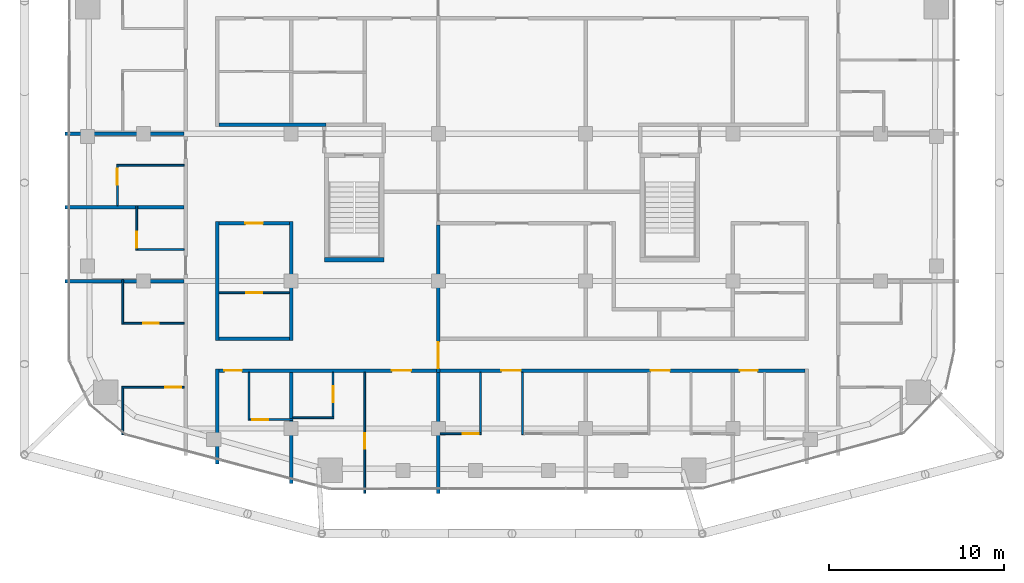
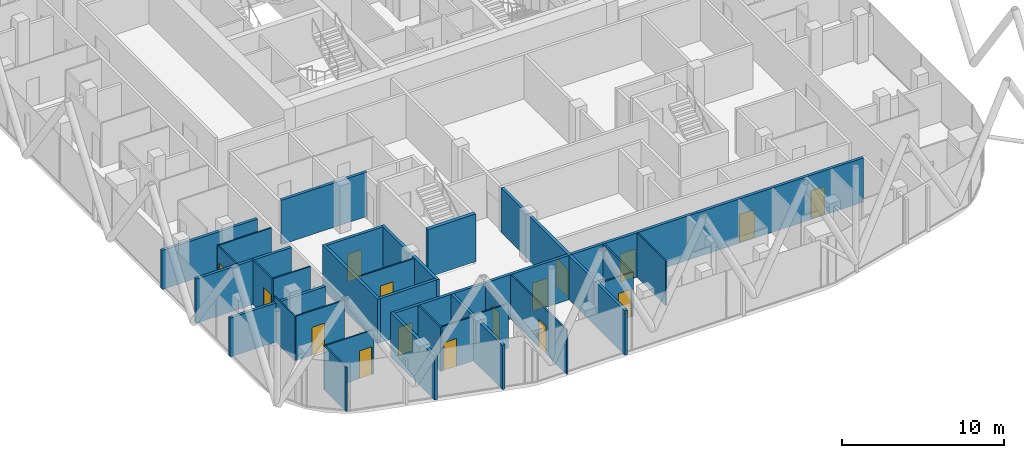
# One storey, part 20 of 28: 31 walls, 16 doors, 16 openings.
"""IFC4 building model written with IfcOpenShell, lengths in metres."""

from ifc_helpers import new_model, si_unit, direction, frame, frame_2d, origin, place, context, subcontext, project, spatial, rectangle, extrude, material, layer, layer_set, type_object, element, fill, save


model = new_model("IFC4")

# Units and contexts
model_context = context("Model", 3, precision=1e-05, world=origin(), true_north=direction((0.0, 1.0)))
body_context = subcontext(model_context, "Body", "Model", "MODEL_VIEW")
ifc_project = project(units=[si_unit("LENGTHUNIT", "METRE"), si_unit("AREAUNIT", "SQUARE_METRE"), si_unit("VOLUMEUNIT", "CUBIC_METRE"), si_unit("PLANEANGLEUNIT", "RADIAN"), si_unit("MASSUNIT", "GRAM", prefix="KILO")], contexts=[model_context])

# Site, building, storey
site_placement = place(None, origin())
site = spatial("IfcSite", under=ifc_project, at=site_placement, CompositionType="ELEMENT")
building_placement = place(site_placement, origin())
building = spatial("IfcBuilding", under=site, at=building_placement, Name="Marenta Gate Hotel Tower", CompositionType="ELEMENT")
storey_placement = place(building_placement, frame((0.0, 0.0, 198.5)))
storey = spatial("IfcBuildingStorey", under=building, at=storey_placement, Name="L45", CompositionType="ELEMENT", Elevation=198.5)

# Wall
ifc_material_1 = material(Name="Concrete blockwork", Category="masonry")
ifc_layer_1 = layer(ifc_material_1, 0.199951171875)
ifc_layer_set_1 = layer_set([ifc_layer_1], Name="Concrete blockwork")
wall_type_1 = type_object("IfcWallType", Name="Compartment wall 200 REI 180", PredefinedType="PARTITIONING", material=ifc_layer_set_1)
wall_1_placement = place(storey_placement, frame((-4.199951171875, -28.89990234375, 0.0), z_axis=(0.0, 0.0, 1.0), x_axis=(0.0, 1.0, 0.0)))
element("IfcWall", 1, at=wall_1_placement, inside=storey, type_object=wall_type_1, Name="L45-PTN-W070", PredefinedType="PARTITIONING", context=body_context, shape_type="SweptSolid", body=[
    extrude(rectangle(XDim=6.89990234375, YDim=0.199951171875, at=frame_2d((3.449951171875, 0.0))), origin(), (0.0, 0.0, 1.0), 3.340087890625),
])

# Wall, opening, door
wall_2_placement = place(storey_placement, frame((-4.199951171875, -22.0, 0.0), z_axis=(0.0, 0.0, 1.0), x_axis=(0.0, 1.0, 0.0)))
wall_2 = element("IfcWall", 2, at=wall_2_placement, inside=storey, type_object=wall_type_1, Name="L45-PTN-W073", PredefinedType="PARTITIONING", context=body_context, shape_type="SweptSolid", body=[
    extrude(rectangle(XDim=8.39990234375, YDim=0.199951171875, at=frame_2d((4.199951171875, 0.0))), origin(), (0.0, 0.0, 1.0), 3.340087890625),
])
opening_1_placement = place(wall_2_placement, frame((0.22509765625, 0.0, 0.0)))
opening_1 = element("IfcOpeningElement", 3, at=opening_1_placement, cuts=wall_2, Name="Opening G16-FD4", PredefinedType="OPENING", context=body_context, shape_type="SweptSolid", body=[
    extrude(rectangle(XDim=1.5, YDim=2.10009765625, at=frame_2d((0.75, 1.050048828125))), frame((0.0, 0.10009765625, 0.0), z_axis=(0.0, -1.0, 0.0), x_axis=(1.0, 0.0, 0.0)), (0.0, 0.0, 1.0), 0.199951171875),
])
ifc_material_2 = material(Name="Hollow steel door set", Category="steel")
door_type_1 = type_object("IfcDoorType", Name="Compartment fire door 1500x2100 EI 60", OperationType="DOUBLE_DOOR_DOUBLE_SWING", PredefinedType="DOOR", material=ifc_material_2)
door_1_placement = place(opening_1_placement, origin())
door_1 = element("IfcDoor", 4, at=door_1_placement, inside=storey, type_object=door_type_1, Name="L45-PD-FD04", OperationType="DOUBLE_DOOR_DOUBLE_SWING", OverallHeight=2.10009765625, OverallWidth=1.5, PredefinedType="DOOR", context=body_context, shape_type="SweptSolid", body=[
    extrude(rectangle(XDim=1.5, YDim=2.10009765625, at=frame_2d((0.75, 1.050048828125))), frame((0.0, 0.02490234375, 0.0), z_axis=(0.0, -1.0, 0.0), x_axis=(1.0, 0.0, 0.0)), (0.0, 0.0, 1.0), 0.050048828125),
])
fill(opening_1, door_1)

# Walls
ifc_material_3 = material(Name="Concrete C40", Category="concrete")
ifc_layer_2 = layer(ifc_material_3, 0.25)
ifc_layer_set_2 = layer_set([ifc_layer_2], Name="Concrete C40")
wall_type_2 = type_object("IfcWallType", Name="Remote stair enclosure wall 250 REI 180", PredefinedType="SHEAR", material=ifc_layer_set_2)
wall_3_placement = place(storey_placement, frame((-10.699951171875, -15.574951171875, 0.10009765625), z_axis=(0.0, 0.0, 1.0), x_axis=(1.0, 0.0, 0.0)))
element("IfcWall", 5, at=wall_3_placement, inside=storey, type_object=wall_type_2, Name="L45-RS-Z3-1-W1", PredefinedType="SHEAR", context=body_context, shape_type="SweptSolid", body=[
    extrude(rectangle(XDim=3.39990234375, YDim=0.25, at=frame_2d((1.699951171875, 0.0))), origin(), (0.0, 0.0, 1.0), 3.599853515625),
])
ifc_material_4 = material(Name="Concrete blockwork", Category="masonry")
ifc_layer_3 = layer(ifc_material_4, 0.199951171875)
ifc_layer_set_3 = layer_set([ifc_layer_3], Name="Concrete blockwork")
wall_type_3 = type_object("IfcWallType", Name="Room corridor wall 200 EI 120", PredefinedType="PARTITIONING", material=ifc_layer_set_3)
wall_4_placement = place(storey_placement, frame((-16.699951171875, -20.10009765625, 0.0), z_axis=(0.0, 0.0, 1.0), x_axis=(1.0, 0.0, 0.0)))
element("IfcWall", 6, at=wall_4_placement, inside=storey, type_object=wall_type_3, Name="L45-PTN-W015", PredefinedType="PARTITIONING", context=body_context, shape_type="SweptSolid", body=[
    extrude(rectangle(XDim=4.0, YDim=0.199951171875, at=frame_2d((2.0, 0.0))), origin(), (0.0, 0.0, 1.0), 3.340087890625),
])

# Wall, opening, door
wall_5_placement = place(storey_placement, frame((-16.699951171875, -13.5, 0.0), z_axis=(0.0, 0.0, 1.0), x_axis=(1.0, 0.0, 0.0)))
wall_5 = element("IfcWall", 7, at=wall_5_placement, inside=storey, type_object=wall_type_3, Name="L45-PTN-W031", PredefinedType="PARTITIONING", context=body_context, shape_type="SweptSolid", body=[
    extrude(rectangle(XDim=4.0, YDim=0.199951171875, at=frame_2d((2.0, 0.0))), origin(), (0.0, 0.0, 1.0), 3.340087890625),
])
opening_2_placement = place(wall_5_placement, frame((1.5, 0.0, 0.0)))
opening_2 = element("IfcOpeningElement", 8, at=opening_2_placement, cuts=wall_5, Name="Opening G16-09", PredefinedType="OPENING", context=body_context, shape_type="SweptSolid", body=[
    extrude(rectangle(XDim=1.0, YDim=2.10009765625, at=frame_2d((0.5, 1.050048828125))), frame((0.0, 0.10009765625, 0.0), z_axis=(0.0, -1.0, 0.0), x_axis=(1.0, 0.0, 0.0)), (0.0, 0.0, 1.0), 0.199951171875),
])
ifc_material_5 = material(Name="Hollow steel door set", Category="steel")
door_type_2 = type_object("IfcDoorType", Name="Room service door 1000x2100 EI 60", OperationType="NOTDEFINED", PredefinedType="DOOR", material=ifc_material_5)
door_2_placement = place(opening_2_placement, origin())
door_2 = element("IfcDoor", 9, at=door_2_placement, inside=storey, type_object=door_type_2, Name="L45-PD-D009", OperationType="SINGLE_SWING_LEFT", OverallHeight=2.10009765625, OverallWidth=1.0, PredefinedType="DOOR", context=body_context, shape_type="SweptSolid", body=[
    extrude(rectangle(XDim=1.0, YDim=2.10009765625, at=frame_2d((0.5, 1.050048828125))), frame((0.0, 0.02490234375, 0.0), z_axis=(0.0, -1.0, 0.0), x_axis=(1.0, 0.0, 0.0)), (0.0, 0.0, 1.0), 0.050048828125),
])
fill(opening_2, door_2)

# Walls
wall_6_placement = place(storey_placement, frame((-16.699951171875, -7.89990234375, 0.0), z_axis=(0.0, 0.0, 1.0), x_axis=(1.0, 0.0, 0.0)))
element("IfcWall", 10, at=wall_6_placement, inside=storey, type_object=wall_type_3, Name="L45-PTN-W047", PredefinedType="PARTITIONING", context=body_context, shape_type="SweptSolid", body=[
    extrude(rectangle(XDim=6.099853515625, YDim=0.199951171875, at=frame_2d((3.0498046875, 0.0))), origin(), (0.0, 0.0, 1.0), 3.340087890625),
])
for number, where, z_axis, x_axis, name in (
    (11, (-12.60009765625, -20.199951171875, 0.0), (0.0, 0.0, 1.0), (0.0, 1.0, 0.0), "L45-PTN-W088"),
    (12, (-16.800048828125, -20.199951171875, 0.0), (0.0, 0.0, 1.0), (0.0, 1.0, 0.0), "L45-PTN-W094"),
):
    element("IfcWall", number, at=place(storey_placement, frame(where, z_axis=z_axis, x_axis=x_axis)), inside=storey, type_object=wall_type_3, Name=name, PredefinedType="PARTITIONING", context=body_context, shape_type="SweptSolid", body=[
        extrude(rectangle(XDim=6.800048828125, YDim=0.199951171875, at=frame_2d((3.39990234375, 0.0))), origin(), (0.0, 0.0, 1.0), 3.340087890625),
    ])

# Wall, openings, doors
ifc_material_6 = material(Name="Gypsum board on steel stud", Category="steel")
ifc_layer_4 = layer(ifc_material_6, 0.199951171875)
ifc_layer_set_4 = layer_set([ifc_layer_4], Name="Gypsum board on steel stud")
wall_type_4 = type_object("IfcWallType", Name="Room corridor wall 200 EI 60", PredefinedType="PARTITIONING", material=ifc_layer_set_4)
wall_7_placement = place(storey_placement, frame((-16.699951171875, -21.89990234375, 0.0), z_axis=(0.0, 0.0, 1.0), x_axis=(1.0, 0.0, 0.0)))
wall_7 = element("IfcWall", 13, at=wall_7_placement, inside=storey, type_object=wall_type_4, Name="L45-PTN-W013", PredefinedType="PARTITIONING", context=body_context, shape_type="SweptSolid", body=[
    extrude(rectangle(XDim=33.39990234375, YDim=0.199951171875, at=frame_2d((16.699951171875, 0.0))), origin(), (0.0, 0.0, 1.0), 3.340087890625),
])
opening_3_placement = place(wall_7_placement, frame((0.300048828125, 0.0, 0.0)))
opening_3 = element("IfcOpeningElement", 14, at=opening_3_placement, cuts=wall_7, Name="Opening G16-33", PredefinedType="OPENING", context=body_context, shape_type="SweptSolid", body=[
    extrude(rectangle(XDim=1.0, YDim=2.10009765625, at=frame_2d((0.5, 1.050048828125))), frame((0.0, 0.10009765625, 0.0), z_axis=(0.0, -1.0, 0.0), x_axis=(1.0, 0.0, 0.0)), (0.0, 0.0, 1.0), 0.199951171875),
])
opening_4_placement = place(wall_7_placement, frame((9.85009765625, 0.0, 0.0)))
opening_4 = element("IfcOpeningElement", 15, at=opening_4_placement, cuts=wall_7, Name="Opening G16-35", PredefinedType="OPENING", context=body_context, shape_type="SweptSolid", body=[
    extrude(rectangle(XDim=1.10009765625, YDim=2.10009765625, at=frame_2d((0.550048828125, 1.050048828125))), frame((0.0, 0.10009765625, 0.0), z_axis=(0.0, -1.0, 0.0), x_axis=(1.0, 0.0, 0.0)), (0.0, 0.0, 1.0), 0.199951171875),
])
opening_5_placement = place(wall_7_placement, frame((16.10009765625, 0.0, 0.0)))
opening_5 = element("IfcOpeningElement", 16, at=opening_5_placement, cuts=wall_7, Name="Opening G16-38", PredefinedType="OPENING", context=body_context, shape_type="SweptSolid", body=[
    extrude(rectangle(XDim=1.10009765625, YDim=2.10009765625, at=frame_2d((0.550048828125, 1.050048828125))), frame((0.0, 0.10009765625, 0.0), z_axis=(0.0, -1.0, 0.0), x_axis=(1.0, 0.0, 0.0)), (0.0, 0.0, 1.0), 0.199951171875),
])
opening_6_placement = place(wall_7_placement, frame((24.60009765625, 0.0, 0.0)))
opening_6 = element("IfcOpeningElement", 17, at=opening_6_placement, cuts=wall_7, Name="Opening G16-41", PredefinedType="OPENING", context=body_context, shape_type="SweptSolid", body=[
    extrude(rectangle(XDim=1.10009765625, YDim=2.10009765625, at=frame_2d((0.550048828125, 1.050048828125))), frame((0.0, 0.10009765625, 0.0), z_axis=(0.0, -1.0, 0.0), x_axis=(1.0, 0.0, 0.0)), (0.0, 0.0, 1.0), 0.199951171875),
])
opening_7_placement = place(wall_7_placement, frame((29.699951171875, 0.0, 0.0)))
opening_7 = element("IfcOpeningElement", 18, at=opening_7_placement, cuts=wall_7, Name="Opening G16-44", PredefinedType="OPENING", context=body_context, shape_type="SweptSolid", body=[
    extrude(rectangle(XDim=1.0, YDim=2.10009765625, at=frame_2d((0.5, 1.050048828125))), frame((0.0, 0.10009765625, 0.0), z_axis=(0.0, -1.0, 0.0), x_axis=(1.0, 0.0, 0.0)), (0.0, 0.0, 1.0), 0.199951171875),
])
ifc_material_7 = material(Name="Timber door leaf", Category="wood")
door_type_3 = type_object("IfcDoorType", Name="Guest room door 1000x2100 EI 30", OperationType="NOTDEFINED", PredefinedType="DOOR", material=ifc_material_7)
door_3_placement = place(opening_3_placement, origin())
door_3 = element("IfcDoor", 19, at=door_3_placement, inside=storey, type_object=door_type_3, Name="L45-PD-D033", OperationType="SINGLE_SWING_RIGHT", OverallHeight=2.10009765625, OverallWidth=1.0, PredefinedType="DOOR", context=body_context, shape_type="SweptSolid", body=[
    extrude(rectangle(XDim=1.0, YDim=2.10009765625, at=frame_2d((0.5, 1.050048828125))), frame((0.0, 0.02490234375, 0.0), z_axis=(0.0, -1.0, 0.0), x_axis=(1.0, 0.0, 0.0)), (0.0, 0.0, 1.0), 0.050048828125),
])
fill(opening_3, door_3)
door_4_placement = place(opening_7_placement, origin())
door_4 = element("IfcDoor", 20, at=door_4_placement, inside=storey, type_object=door_type_3, Name="L45-PD-D044", OperationType="SINGLE_SWING_RIGHT", OverallHeight=2.10009765625, OverallWidth=1.0, PredefinedType="DOOR", context=body_context, shape_type="SweptSolid", body=[
    extrude(rectangle(XDim=1.0, YDim=2.10009765625, at=frame_2d((0.5, 1.050048828125))), frame((0.0, 0.02490234375, 0.0), z_axis=(0.0, -1.0, 0.0), x_axis=(1.0, 0.0, 0.0)), (0.0, 0.0, 1.0), 0.050048828125),
])
fill(opening_7, door_4)
ifc_material_8 = material(Name="Timber door leaf", Category="wood")
door_type_4 = type_object("IfcDoorType", Name="Guest room door 1100x2100 EI 30", OperationType="NOTDEFINED", PredefinedType="DOOR", material=ifc_material_8)
door_5_placement = place(opening_4_placement, origin())
door_5 = element("IfcDoor", 21, at=door_5_placement, inside=storey, type_object=door_type_4, Name="L45-PD-D035", OperationType="SINGLE_SWING_LEFT", OverallHeight=2.10009765625, OverallWidth=1.10009765625, PredefinedType="DOOR", context=body_context, shape_type="SweptSolid", body=[
    extrude(rectangle(XDim=1.10009765625, YDim=2.10009765625, at=frame_2d((0.550048828125, 1.050048828125))), frame((0.0, 0.02490234375, 0.0), z_axis=(0.0, -1.0, 0.0), x_axis=(1.0, 0.0, 0.0)), (0.0, 0.0, 1.0), 0.050048828125),
])
fill(opening_4, door_5)
door_6_placement = place(opening_5_placement, origin())
door_6 = element("IfcDoor", 22, at=door_6_placement, inside=storey, type_object=door_type_4, Name="L45-PD-D038", OperationType="SINGLE_SWING_LEFT", OverallHeight=2.10009765625, OverallWidth=1.10009765625, PredefinedType="DOOR", context=body_context, shape_type="SweptSolid", body=[
    extrude(rectangle(XDim=1.10009765625, YDim=2.10009765625, at=frame_2d((0.550048828125, 1.050048828125))), frame((0.0, 0.02490234375, 0.0), z_axis=(0.0, -1.0, 0.0), x_axis=(1.0, 0.0, 0.0)), (0.0, 0.0, 1.0), 0.050048828125),
])
fill(opening_5, door_6)
door_7_placement = place(opening_6_placement, origin())
door_7 = element("IfcDoor", 23, at=door_7_placement, inside=storey, type_object=door_type_4, Name="L45-PD-D041", OperationType="SINGLE_SWING_RIGHT", OverallHeight=2.10009765625, OverallWidth=1.10009765625, PredefinedType="DOOR", context=body_context, shape_type="SweptSolid", body=[
    extrude(rectangle(XDim=1.10009765625, YDim=2.10009765625, at=frame_2d((0.550048828125, 1.050048828125))), frame((0.0, 0.02490234375, 0.0), z_axis=(0.0, -1.0, 0.0), x_axis=(1.0, 0.0, 0.0)), (0.0, 0.0, 1.0), 0.050048828125),
])
fill(opening_6, door_7)

# Wall
wall_8_placement = place(storey_placement, frame((-16.800048828125, -27.22900390625, 0.0), z_axis=(0.0, 0.0, 1.0), x_axis=(0.0, 1.0, 0.0)))
element("IfcWall", 24, at=wall_8_placement, inside=storey, type_object=wall_type_4, Name="L45-PTN-W093", PredefinedType="PARTITIONING", context=body_context, shape_type="SweptSolid", body=[
    extrude(rectangle(XDim=5.428955078125, YDim=0.199951171875, at=frame_2d((2.71435546875, 0.0))), origin(), (0.0, 0.0, 1.0), 3.340087890625),
])

# Wall, opening, door
ifc_material_9 = material(Name="Gypsum board on steel stud", Category="steel")
ifc_layer_5 = layer(ifc_material_9, 0.10009765625)
ifc_layer_set_5 = layer_set([ifc_layer_5], Name="Gypsum board on steel stud")
wall_type_5 = type_object("IfcWallType", Name="Room partition 100", PredefinedType="PARTITIONING", material=ifc_layer_set_5)
wall_9_placement = place(storey_placement, frame((-4.10009765625, -25.5, 0.0), z_axis=(0.0, 0.0, 1.0), x_axis=(1.0, 0.0, 0.0)))
wall_9 = element("IfcWall", 25, at=wall_9_placement, inside=storey, type_object=wall_type_5, Name="L45-PTN-W002", PredefinedType="PARTITIONING", context=body_context, shape_type="SweptSolid", body=[
    extrude(rectangle(XDim=2.35009765625, YDim=0.10009765625, at=frame_2d((1.175048828125, 0.0))), origin(), (0.0, 0.0, 1.0), 3.340087890625),
])
opening_8_placement = place(wall_9_placement, frame((1.300048828125, 0.0, 0.0)))
opening_8 = element("IfcOpeningElement", 26, at=opening_8_placement, cuts=wall_9, Name="Opening G16-40", PredefinedType="OPENING", context=body_context, shape_type="SweptSolid", body=[
    extrude(rectangle(XDim=0.89990234375, YDim=2.10009765625, at=frame_2d((0.449951171875, 1.050048828125))), frame((0.0, 0.050048828125, 0.0), z_axis=(0.0, -1.0, 0.0), x_axis=(1.0, 0.0, 0.0)), (0.0, 0.0, 1.0), 0.10009765625),
])
ifc_material_10 = material(Name="Timber door leaf", Category="wood")
door_type_5 = type_object("IfcDoorType", Name="Room inner door 900x2100", OperationType="NOTDEFINED", PredefinedType="DOOR", material=ifc_material_10)
door_8_placement = place(opening_8_placement, origin())
door_8 = element("IfcDoor", 27, at=door_8_placement, inside=storey, type_object=door_type_5, Name="L45-PD-D040", OperationType="SINGLE_SWING_RIGHT", OverallHeight=2.10009765625, OverallWidth=0.89990234375, PredefinedType="DOOR", context=body_context, shape_type="SweptSolid", body=[
    extrude(rectangle(XDim=0.89990234375, YDim=2.10009765625, at=frame_2d((0.449951171875, 1.050048828125))), frame((0.0, 0.02490234375, 0.0), z_axis=(0.0, -1.0, 0.0), x_axis=(1.0, 0.0, 0.0)), (0.0, 0.0, 1.0), 0.050048828125),
])
fill(opening_8, door_8)

wall_10_placement = place(storey_placement, frame((-14.949951171875, -24.699951171875, 0.0), z_axis=(0.0, 0.0, 1.0), x_axis=(1.0, 0.0, 0.0)))
wall_10 = element("IfcWall", 28, at=wall_10_placement, inside=storey, type_object=wall_type_5, Name="L45-PTN-W005", PredefinedType="PARTITIONING", context=body_context, shape_type="SweptSolid", body=[
    extrude(rectangle(XDim=2.449951171875, YDim=0.10009765625, at=frame_2d((1.22509765625, 0.0))), origin(), (0.0, 0.0, 1.0), 3.340087890625),
])
opening_9_placement = place(wall_10_placement, frame((0.14990234375, 0.0, 0.0)))
opening_9 = element("IfcOpeningElement", 29, at=opening_9_placement, cuts=wall_10, Name="Opening G16-34", PredefinedType="OPENING", context=body_context, shape_type="SweptSolid", body=[
    extrude(rectangle(XDim=0.89990234375, YDim=2.10009765625, at=frame_2d((0.449951171875, 1.050048828125))), frame((0.0, 0.050048828125, 0.0), z_axis=(0.0, -1.0, 0.0), x_axis=(1.0, 0.0, 0.0)), (0.0, 0.0, 1.0), 0.10009765625),
])
ifc_material_11 = material(Name="Timber door leaf", Category="wood")
door_type_6 = type_object("IfcDoorType", Name="Guest bathroom door 900x2100", OperationType="NOTDEFINED", PredefinedType="DOOR", material=ifc_material_11)
door_9_placement = place(opening_9_placement, origin())
door_9 = element("IfcDoor", 30, at=door_9_placement, inside=storey, type_object=door_type_6, Name="L45-PD-D034", OperationType="SINGLE_SWING_LEFT", OverallHeight=2.10009765625, OverallWidth=0.89990234375, PredefinedType="DOOR", context=body_context, shape_type="SweptSolid", body=[
    extrude(rectangle(XDim=0.89990234375, YDim=2.10009765625, at=frame_2d((0.449951171875, 1.050048828125))), frame((0.0, 0.02490234375, 0.0), z_axis=(0.0, -1.0, 0.0), x_axis=(1.0, 0.0, 0.0)), (0.0, 0.0, 1.0), 0.050048828125),
])
fill(opening_9, door_9)

# Wall
wall_11_placement = place(storey_placement, frame((-12.5, -24.60009765625, 0.0), z_axis=(0.0, 0.0, 1.0), x_axis=(1.0, 0.0, 0.0)))
element("IfcWall", 31, at=wall_11_placement, inside=storey, type_object=wall_type_5, Name="L45-PTN-W006", PredefinedType="PARTITIONING", context=body_context, shape_type="SweptSolid", body=[
    extrude(rectangle(XDim=2.35009765625, YDim=0.10009765625, at=frame_2d((1.175048828125, 0.0))), origin(), (0.0, 0.0, 1.0), 3.340087890625),
])

# Wall, opening, door
wall_12_placement = place(storey_placement, frame((-22.25, -22.85107421875, 0.0), z_axis=(0.0, 0.0, 1.0), x_axis=(1.0, 0.0, 0.0)))
wall_12 = element("IfcWall", 32, at=wall_12_placement, inside=storey, type_object=wall_type_5, Name="L45-PTN-W007", PredefinedType="PARTITIONING", context=body_context, shape_type="SweptSolid", body=[
    extrude(rectangle(XDim=3.550048828125, YDim=0.10009765625, at=frame_2d((1.77490234375, 0.0))), origin(), (0.0, 0.0, 1.0), 3.340087890625),
])
opening_10_placement = place(wall_12_placement, frame((2.489990234375, 0.0, 0.0)))
opening_10 = element("IfcOpeningElement", 33, at=opening_10_placement, cuts=wall_12, Name="Opening G16-47", PredefinedType="OPENING", context=body_context, shape_type="SweptSolid", body=[
    extrude(rectangle(XDim=0.89990234375, YDim=2.10009765625, at=frame_2d((0.449951171875, 1.050048828125))), frame((0.0, 0.050048828125, 0.0), z_axis=(0.0, -1.0, 0.0), x_axis=(1.0, 0.0, 0.0)), (0.0, 0.0, 1.0), 0.10009765625),
])
door_10_placement = place(opening_10_placement, origin())
door_10 = element("IfcDoor", 34, at=door_10_placement, inside=storey, type_object=door_type_6, Name="L45-PD-D047", OperationType="SINGLE_SWING_LEFT", OverallHeight=2.10009765625, OverallWidth=0.89990234375, PredefinedType="DOOR", context=body_context, shape_type="SweptSolid", body=[
    extrude(rectangle(XDim=0.89990234375, YDim=2.10009765625, at=frame_2d((0.449951171875, 1.050048828125))), frame((0.0, 0.02490234375, 0.0), z_axis=(0.0, -1.0, 0.0), x_axis=(1.0, 0.0, 0.0)), (0.0, 0.0, 1.0), 0.050048828125),
])
fill(opening_10, door_10)

wall_13_placement = place(storey_placement, frame((-22.14990234375, -19.199951171875, 0.0), z_axis=(0.0, 0.0, 1.0), x_axis=(1.0, 0.0, 0.0)))
wall_13 = element("IfcWall", 35, at=wall_13_placement, inside=storey, type_object=wall_type_5, Name="L45-PTN-W017", PredefinedType="PARTITIONING", context=body_context, shape_type="SweptSolid", body=[
    extrude(rectangle(XDim=3.449951171875, YDim=0.10009765625, at=frame_2d((1.72509765625, 0.0))), origin(), (0.0, 0.0, 1.0), 3.340087890625),
])
opening_11_placement = place(wall_13_placement, frame((1.1201171875, 0.0, 0.0)))
opening_11 = element("IfcOpeningElement", 36, at=opening_11_placement, cuts=wall_13, Name="Opening G16-48", PredefinedType="OPENING", context=body_context, shape_type="SweptSolid", body=[
    extrude(rectangle(XDim=0.89990234375, YDim=2.10009765625, at=frame_2d((0.449951171875, 1.050048828125))), frame((0.0, 0.050048828125, 0.0), z_axis=(0.0, -1.0, 0.0), x_axis=(1.0, 0.0, 0.0)), (0.0, 0.0, 1.0), 0.10009765625),
])
door_11_placement = place(opening_11_placement, origin())
door_11 = element("IfcDoor", 37, at=door_11_placement, inside=storey, type_object=door_type_5, Name="L45-PD-D048", OperationType="SINGLE_SWING_LEFT", OverallHeight=2.10009765625, OverallWidth=0.89990234375, PredefinedType="DOOR", context=body_context, shape_type="SweptSolid", body=[
    extrude(rectangle(XDim=0.89990234375, YDim=2.10009765625, at=frame_2d((0.449951171875, 1.050048828125))), frame((0.0, 0.02490234375, 0.0), z_axis=(0.0, -1.0, 0.0), x_axis=(1.0, 0.0, 0.0)), (0.0, 0.0, 1.0), 0.050048828125),
])
fill(opening_11, door_11)

wall_14_placement = place(storey_placement, frame((-16.699951171875, -17.4599609375, 0.0), z_axis=(0.0, 0.0, 1.0), x_axis=(1.0, 0.0, 0.0)))
wall_14 = element("IfcWall", 38, at=wall_14_placement, inside=storey, type_object=wall_type_5, Name="L45-PTN-W021", PredefinedType="PARTITIONING", context=body_context, shape_type="SweptSolid", body=[
    extrude(rectangle(XDim=4.0, YDim=0.10009765625, at=frame_2d((2.0, 0.0))), origin(), (0.0, 0.0, 1.0), 3.340087890625),
])
opening_12_placement = place(wall_14_placement, frame((1.550048828125, 0.0, 0.0)))
opening_12 = element("IfcOpeningElement", 39, at=opening_12_placement, cuts=wall_14, Name="Opening G16-10", PredefinedType="OPENING", context=body_context, shape_type="SweptSolid", body=[
    extrude(rectangle(XDim=0.89990234375, YDim=2.10009765625, at=frame_2d((0.449951171875, 1.050048828125))), frame((0.0, 0.050048828125, 0.0), z_axis=(0.0, -1.0, 0.0), x_axis=(1.0, 0.0, 0.0)), (0.0, 0.0, 1.0), 0.10009765625),
])
door_12_placement = place(opening_12_placement, origin())
door_12 = element("IfcDoor", 40, at=door_12_placement, inside=storey, type_object=door_type_5, Name="L45-PD-D010", OperationType="SINGLE_SWING_LEFT", OverallHeight=2.10009765625, OverallWidth=0.89990234375, PredefinedType="DOOR", context=body_context, shape_type="SweptSolid", body=[
    extrude(rectangle(XDim=0.89990234375, YDim=2.10009765625, at=frame_2d((0.449951171875, 1.050048828125))), frame((0.0, 0.02490234375, 0.0), z_axis=(0.0, -1.0, 0.0), x_axis=(1.0, 0.0, 0.0)), (0.0, 0.0, 1.0), 0.050048828125),
])
fill(opening_12, door_12)

# Walls
wall_15_placement = place(storey_placement, frame((-21.35009765625, -15.0, 0.0), z_axis=(0.0, 0.0, 1.0), x_axis=(1.0, 0.0, 0.0)))
element("IfcWall", 41, at=wall_15_placement, inside=storey, type_object=wall_type_5, Name="L45-PTN-W029", PredefinedType="PARTITIONING", context=body_context, shape_type="SweptSolid", body=[
    extrude(rectangle(XDim=2.650146484375, YDim=0.10009765625, at=frame_2d((1.3251953125, 0.0))), origin(), (0.0, 0.0, 1.0), 3.340087890625),
])
wall_16_placement = place(storey_placement, frame((-22.550048828125, -10.199951171875, 0.0), z_axis=(0.0, 0.0, 1.0), x_axis=(1.0, 0.0, 0.0)))
element("IfcWall", 42, at=wall_16_placement, inside=storey, type_object=wall_type_5, Name="L45-PTN-W043", PredefinedType="PARTITIONING", context=body_context, shape_type="SweptSolid", body=[
    extrude(rectangle(XDim=3.85009765625, YDim=0.10009765625, at=frame_2d((1.925048828125, 0.0))), origin(), (0.0, 0.0, 1.0), 3.340087890625),
])
wall_17_placement = place(storey_placement, frame((0.60009765625, -25.550048828125, 0.0), z_axis=(0.0, 0.0, 1.0), x_axis=(0.0, 1.0, 0.0)))
element("IfcWall", 43, at=wall_17_placement, inside=storey, type_object=wall_type_5, Name="L45-PTN-W065", PredefinedType="PARTITIONING", context=body_context, shape_type="SweptSolid", body=[
    extrude(rectangle(XDim=3.550048828125, YDim=0.10009765625, at=frame_2d((1.77490234375, 0.0))), origin(), (0.0, 0.0, 1.0), 3.340087890625),
])
wall_18_placement = place(storey_placement, frame((-1.800048828125, -25.449951171875, 0.0), z_axis=(0.0, 0.0, 1.0), x_axis=(0.0, 1.0, 0.0)))
element("IfcWall", 44, at=wall_18_placement, inside=storey, type_object=wall_type_5, Name="L45-PTN-W068", PredefinedType="PARTITIONING", context=body_context, shape_type="SweptSolid", body=[
    extrude(rectangle(XDim=3.449951171875, YDim=0.10009765625, at=frame_2d((1.72509765625, 0.0))), origin(), (0.0, 0.0, 1.0), 3.340087890625),
])

# Wall, opening, door
wall_19_placement = place(storey_placement, frame((-8.39990234375, -28.89990234375, 0.0), z_axis=(0.0, 0.0, 1.0), x_axis=(0.0, 1.0, 0.0)))
wall_19 = element("IfcWall", 45, at=wall_19_placement, inside=storey, type_object=wall_type_5, Name="L45-PTN-W076", PredefinedType="PARTITIONING", context=body_context, shape_type="SweptSolid", body=[
    extrude(rectangle(XDim=6.89990234375, YDim=0.10009765625, at=frame_2d((3.449951171875, 0.0))), origin(), (0.0, 0.0, 1.0), 3.340087890625),
])
opening_13_placement = place(wall_19_placement, frame((2.530029296875, 0.0, 0.0)))
opening_13 = element("IfcOpeningElement", 46, at=opening_13_placement, cuts=wall_19, Name="Opening G16-36", PredefinedType="OPENING", context=body_context, shape_type="SweptSolid", body=[
    extrude(rectangle(XDim=0.89990234375, YDim=2.10009765625, at=frame_2d((0.449951171875, 1.050048828125))), frame((0.0, 0.050048828125, 0.0), z_axis=(0.0, -1.0, 0.0), x_axis=(1.0, 0.0, 0.0)), (0.0, 0.0, 1.0), 0.10009765625),
])
door_13_placement = place(opening_13_placement, origin())
door_13 = element("IfcDoor", 47, at=door_13_placement, inside=storey, type_object=door_type_5, Name="L45-PD-D036", OperationType="SINGLE_SWING_LEFT", OverallHeight=2.10009765625, OverallWidth=0.89990234375, PredefinedType="DOOR", context=body_context, shape_type="SweptSolid", body=[
    extrude(rectangle(XDim=0.89990234375, YDim=2.10009765625, at=frame_2d((0.449951171875, 1.050048828125))), frame((0.0, 0.02490234375, 0.0), z_axis=(0.0, -1.0, 0.0), x_axis=(1.0, 0.0, 0.0)), (0.0, 0.0, 1.0), 0.050048828125),
])
fill(opening_13, door_13)

wall_20_placement = place(storey_placement, frame((-10.199951171875, -24.550048828125, 0.0), z_axis=(0.0, 0.0, 1.0), x_axis=(0.0, 1.0, 0.0)))
wall_20 = element("IfcWall", 48, at=wall_20_placement, inside=storey, type_object=wall_type_5, Name="L45-PTN-W081", PredefinedType="PARTITIONING", context=body_context, shape_type="SweptSolid", body=[
    extrude(rectangle(XDim=2.550048828125, YDim=0.10009765625, at=frame_2d((1.27490234375, 0.0))), origin(), (0.0, 0.0, 1.0), 3.340087890625),
])
opening_14_placement = place(wall_20_placement, frame((0.85009765625, 0.0, 0.0)))
opening_14 = element("IfcOpeningElement", 49, at=opening_14_placement, cuts=wall_20, Name="Opening G16-37", PredefinedType="OPENING", context=body_context, shape_type="SweptSolid", body=[
    extrude(rectangle(XDim=0.89990234375, YDim=2.10009765625, at=frame_2d((0.449951171875, 1.050048828125))), frame((0.0, 0.050048828125, 0.0), z_axis=(0.0, -1.0, 0.0), x_axis=(1.0, 0.0, 0.0)), (0.0, 0.0, 1.0), 0.10009765625),
])
door_14_placement = place(opening_14_placement, origin())
door_14 = element("IfcDoor", 50, at=door_14_placement, inside=storey, type_object=door_type_6, Name="L45-PD-D037", OperationType="SINGLE_SWING_RIGHT", OverallHeight=2.10009765625, OverallWidth=0.89990234375, PredefinedType="DOOR", context=body_context, shape_type="SweptSolid", body=[
    extrude(rectangle(XDim=0.89990234375, YDim=2.10009765625, at=frame_2d((0.449951171875, 1.050048828125))), frame((0.0, 0.02490234375, 0.0), z_axis=(0.0, -1.0, 0.0), x_axis=(1.0, 0.0, 0.0)), (0.0, 0.0, 1.0), 0.050048828125),
])
fill(opening_14, door_14)

# Wall
wall_21_placement = place(storey_placement, frame((-15.0, -24.75, 0.0), z_axis=(0.0, 0.0, 1.0), x_axis=(0.0, 1.0, 0.0)))
element("IfcWall", 51, at=wall_21_placement, inside=storey, type_object=wall_type_5, Name="L45-PTN-W092", PredefinedType="PARTITIONING", context=body_context, shape_type="SweptSolid", body=[
    extrude(rectangle(XDim=2.75, YDim=0.10009765625, at=frame_2d((1.375, 0.0))), origin(), (0.0, 0.0, 1.0), 3.340087890625),
])

# Wall, opening, door
wall_22_placement = place(storey_placement, frame((-21.39990234375, -15.050048828125, 0.0), z_axis=(0.0, 0.0, 1.0), x_axis=(0.0, 1.0, 0.0)))
wall_22 = element("IfcWall", 52, at=wall_22_placement, inside=storey, type_object=wall_type_5, Name="L45-PTN-W103", PredefinedType="PARTITIONING", context=body_context, shape_type="SweptSolid", body=[
    extrude(rectangle(XDim=2.550048828125, YDim=0.10009765625, at=frame_2d((1.27490234375, 0.0))), origin(), (0.0, 0.0, 1.0), 3.340087890625),
])
opening_15_placement = place(wall_22_placement, frame((0.14990234375, 0.0, 0.0)))
opening_15 = element("IfcOpeningElement", 53, at=opening_15_placement, cuts=wall_22, Name="Opening G16-50", PredefinedType="OPENING", context=body_context, shape_type="SweptSolid", body=[
    extrude(rectangle(XDim=0.89990234375, YDim=2.10009765625, at=frame_2d((0.449951171875, 1.050048828125))), frame((0.0, 0.050048828125, 0.0), z_axis=(0.0, -1.0, 0.0), x_axis=(1.0, 0.0, 0.0)), (0.0, 0.0, 1.0), 0.10009765625),
])
door_15_placement = place(opening_15_placement, origin())
door_15 = element("IfcDoor", 54, at=door_15_placement, inside=storey, type_object=door_type_6, Name="L45-PD-D050", OperationType="SINGLE_SWING_RIGHT", OverallHeight=2.10009765625, OverallWidth=0.89990234375, PredefinedType="DOOR", context=body_context, shape_type="SweptSolid", body=[
    extrude(rectangle(XDim=0.89990234375, YDim=2.10009765625, at=frame_2d((0.449951171875, 1.050048828125))), frame((0.0, 0.02490234375, 0.0), z_axis=(0.0, -1.0, 0.0), x_axis=(1.0, 0.0, 0.0)), (0.0, 0.0, 1.0), 0.050048828125),
])
fill(opening_15, door_15)

# Walls
wall_23_placement = place(storey_placement, frame((-22.199951171875, -25.552001953125, 0.0), z_axis=(0.0, 0.0, 1.0), x_axis=(0.0, 1.0, 0.0)))
element("IfcWall", 55, at=wall_23_placement, inside=storey, type_object=wall_type_5, Name="L45-PTN-W105", PredefinedType="PARTITIONING", context=body_context, shape_type="SweptSolid", body=[
    extrude(rectangle(XDim=2.651123046875, YDim=0.10009765625, at=frame_2d((1.32568359375, 0.0))), origin(), (0.0, 0.0, 1.0), 3.340087890625),
])
wall_24_placement = place(storey_placement, frame((-22.199951171875, -19.25, 0.0), z_axis=(0.0, 0.0, 1.0), x_axis=(0.0, 1.0, 0.0)))
element("IfcWall", 56, at=wall_24_placement, inside=storey, type_object=wall_type_5, Name="L45-PTN-W106", PredefinedType="PARTITIONING", context=body_context, shape_type="SweptSolid", body=[
    extrude(rectangle(XDim=2.550048828125, YDim=0.10009765625, at=frame_2d((1.27490234375, 0.0))), origin(), (0.0, 0.0, 1.0), 3.340087890625),
])

# Wall, opening, door
wall_25_placement = place(storey_placement, frame((-22.5, -12.5, 0.0), z_axis=(0.0, 0.0, 1.0), x_axis=(0.0, 1.0, 0.0)))
wall_25 = element("IfcWall", 57, at=wall_25_placement, inside=storey, type_object=wall_type_5, Name="L45-PTN-W110", PredefinedType="PARTITIONING", context=body_context, shape_type="SweptSolid", body=[
    extrude(rectangle(XDim=2.25, YDim=0.10009765625, at=frame_2d((1.125, 0.0))), origin(), (0.0, 0.0, 1.0), 3.340087890625),
])
opening_16_placement = place(wall_25_placement, frame((1.199951171875, 0.0, 0.0)))
opening_16 = element("IfcOpeningElement", 58, at=opening_16_placement, cuts=wall_25, Name="Opening G16-52", PredefinedType="OPENING", context=body_context, shape_type="SweptSolid", body=[
    extrude(rectangle(XDim=0.89990234375, YDim=2.10009765625, at=frame_2d((0.449951171875, 1.050048828125))), frame((0.0, 0.050048828125, 0.0), z_axis=(0.0, -1.0, 0.0), x_axis=(1.0, 0.0, 0.0)), (0.0, 0.0, 1.0), 0.10009765625),
])
door_16_placement = place(opening_16_placement, origin())
door_16 = element("IfcDoor", 59, at=door_16_placement, inside=storey, type_object=door_type_6, Name="L45-PD-D052", OperationType="SINGLE_SWING_LEFT", OverallHeight=2.10009765625, OverallWidth=0.89990234375, PredefinedType="DOOR", context=body_context, shape_type="SweptSolid", body=[
    extrude(rectangle(XDim=0.89990234375, YDim=2.10009765625, at=frame_2d((0.449951171875, 1.050048828125))), frame((0.0, 0.02490234375, 0.0), z_axis=(0.0, -1.0, 0.0), x_axis=(1.0, 0.0, 0.0)), (0.0, 0.0, 1.0), 0.050048828125),
])
fill(opening_16, door_16)

# Walls
ifc_material_12 = material(Name="Gypsum board on steel stud", Category="steel")
ifc_layer_6 = layer(ifc_material_12, 0.199951171875)
ifc_layer_set_6 = layer_set([ifc_layer_6], Name="Gypsum board on steel stud")
wall_type_6 = type_object("IfcWallType", Name="Room party wall 200 EI 60", PredefinedType="PARTITIONING", material=ifc_layer_set_6)
wall_26_placement = place(storey_placement, frame((-25.5, -16.800048828125, 0.0), z_axis=(0.0, 0.0, 1.0), x_axis=(1.0, 0.0, 0.0)))
element("IfcWall", 60, at=wall_26_placement, inside=storey, type_object=wall_type_6, Name="L45-PTN-W027", PredefinedType="PARTITIONING", context=body_context, shape_type="SweptSolid", body=[
    extrude(rectangle(XDim=6.800048828125, YDim=0.199951171875, at=frame_2d((3.39990234375, 0.0))), origin(), (0.0, 0.0, 1.0), 2.93994140625),
])
wall_27_placement = place(storey_placement, frame((-25.5, -12.60009765625, 0.0), z_axis=(0.0, 0.0, 1.0), x_axis=(1.0, 0.0, 0.0)))
element("IfcWall", 61, at=wall_27_placement, inside=storey, type_object=wall_type_6, Name="L45-PTN-W039", PredefinedType="PARTITIONING", context=body_context, shape_type="SweptSolid", body=[
    extrude(rectangle(XDim=6.800048828125, YDim=0.199951171875, at=frame_2d((3.39990234375, 0.0))), origin(), (0.0, 0.0, 1.0), 3.340087890625),
])
wall_28_placement = place(storey_placement, frame((-25.5, -8.39990234375, 0.0), z_axis=(0.0, 0.0, 1.0), x_axis=(1.0, 0.0, 0.0)))
element("IfcWall", 62, at=wall_28_placement, inside=storey, type_object=wall_type_6, Name="L45-PTN-W045", PredefinedType="PARTITIONING", context=body_context, shape_type="SweptSolid", body=[
    extrude(rectangle(XDim=6.800048828125, YDim=0.199951171875, at=frame_2d((3.39990234375, 0.0))), origin(), (0.0, 0.0, 1.0), 2.93994140625),
])
wall_29_placement = place(storey_placement, frame((-12.60009765625, -28.343017578125, 0.0), z_axis=(0.0, 0.0, 1.0), x_axis=(0.0, 1.0, 0.0)))
element("IfcWall", 63, at=wall_29_placement, inside=storey, type_object=wall_type_6, Name="L45-PTN-W085", PredefinedType="PARTITIONING", context=body_context, shape_type="SweptSolid", body=[
    extrude(rectangle(XDim=6.343017578125, YDim=0.199951171875, at=frame_2d((3.17138671875, 0.0))), origin(), (0.0, 0.0, 1.0), 3.340087890625),
])

save(model, "model.ifc")
